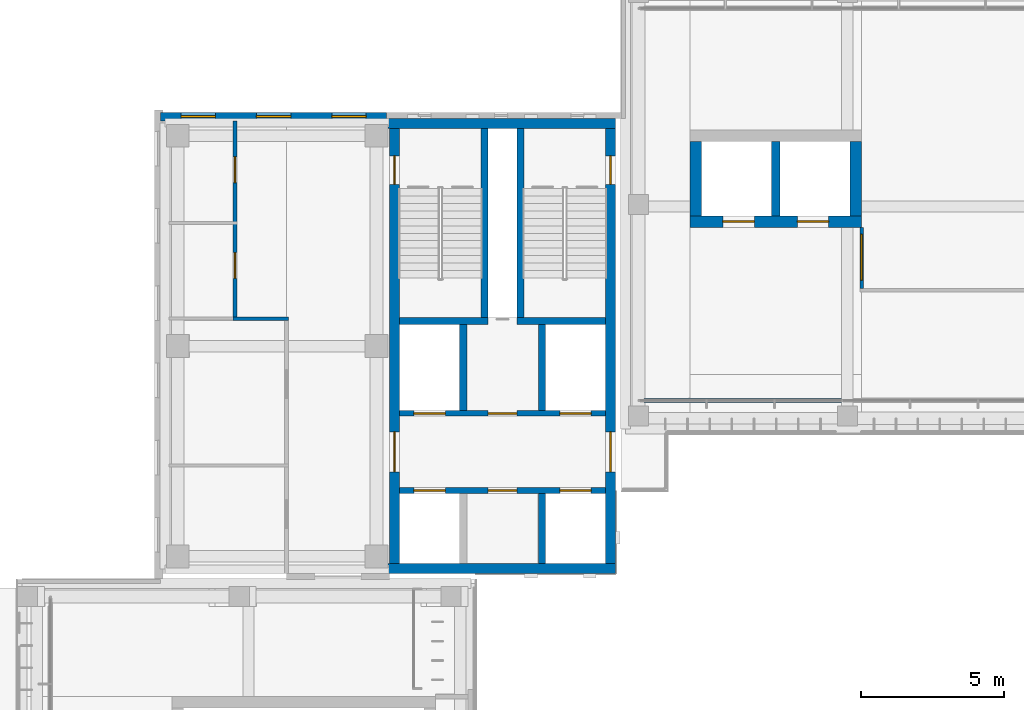
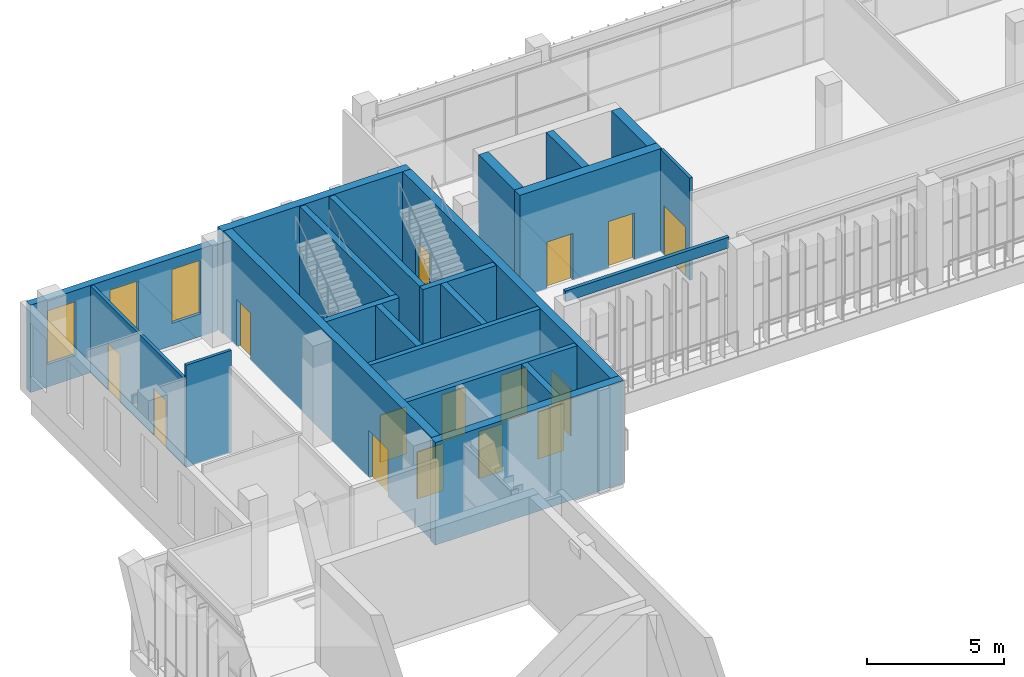
# One storey, part 47 of 73: 22 walls, 15 doors, 3 windows, 18 openings.
"""IFC4 building model written with IfcOpenShell, lengths in metres."""

from ifc_helpers import new_model, si_unit, direction, frame, frame_2d, origin, place, context, subcontext, project, spatial, rectangle, extrude, material, layer, layer_set, type_object, element, fill, save


model = new_model("IFC4")

# Units and contexts
model_context = context("Model", 3, precision=1e-05, world=origin(), true_north=direction((0.0, 1.0)))
body_context = subcontext(model_context, "Body", "Model", "MODEL_VIEW")
ifc_project = project(units=[si_unit("LENGTHUNIT", "METRE"), si_unit("AREAUNIT", "SQUARE_METRE"), si_unit("VOLUMEUNIT", "CUBIC_METRE"), si_unit("PLANEANGLEUNIT", "RADIAN"), si_unit("MASSUNIT", "GRAM", prefix="KILO")], contexts=[model_context])

# Site, building, storey
site_placement = place(None, origin())
site = spatial("IfcSite", under=ifc_project, at=site_placement, CompositionType="ELEMENT")
building_placement = place(site_placement, origin())
building = spatial("IfcBuilding", under=site, at=building_placement, Name="Lantern Court Media Centre", CompositionType="ELEMENT")
storey_placement = place(building_placement, frame((0.0, 0.0, 24.0)))
storey = spatial("IfcBuildingStorey", under=building, at=storey_placement, Name="L05", CompositionType="ELEMENT", Elevation=24.0)

# Wall, opening, door
ifc_material_1 = material(Name="Gypsum board partition")
ifc_layer_1 = layer(ifc_material_1, 0.125)
ifc_layer_set_1 = layer_set([ifc_layer_1], Name="Gypsum board partition")
wall_type_1 = type_object("IfcWallType", Name="Corridor partition 125", PredefinedType="PARTITIONING", material=ifc_layer_set_1)
wall_1_placement = place(storey_placement, frame((32.5, 106.0625, 0.0), z_axis=(0.0, 0.0, 1.0), x_axis=(0.0, 1.0, 0.0)))
wall_1 = element("IfcWall", 1, at=wall_1_placement, inside=storey, type_object=wall_type_1, Name="L05 partition 001", PredefinedType="PARTITIONING", context=body_context, shape_type="SweptSolid", body=[
    extrude(rectangle(XDim=2.132568359375, YDim=0.125, at=frame_2d((1.06640625, 0.0))), origin(), (0.0, 0.0, 1.0), 4.56005859375),
])
opening_1_placement = place(wall_1_placement, frame((0.291259765625, 0.0, 0.0)))
opening_1 = element("IfcOpeningElement", 2, at=opening_1_placement, cuts=wall_1, Name="Opening L05-004", PredefinedType="OPENING", context=body_context, shape_type="SweptSolid", body=[
    extrude(rectangle(XDim=1.60009765625, YDim=2.199951171875, at=frame_2d((0.800048828125, 1.10009765625))), frame((0.0, 0.072509765625, 0.0), z_axis=(0.0, -1.0, 0.0), x_axis=(1.0, 0.0, 0.0)), (0.0, 0.0, 1.0), 0.14501953125),
])
ifc_material_2 = material(Name="Solid-core timber door leaf", Category="wood")
door_type_1 = type_object("IfcDoorType", Name="Double door 1600x2200", OperationType="NOTDEFINED", PredefinedType="DOOR", material=ifc_material_2)
door_1_placement = place(opening_1_placement, origin())
door_1 = element("IfcDoor", 3, at=door_1_placement, inside=storey, type_object=door_type_1, Name="L05 Newsroom door", OperationType="DOUBLE_DOOR_SINGLE_SWING", OverallHeight=2.199951171875, OverallWidth=1.60009765625, PredefinedType="DOOR", context=body_context, shape_type="SweptSolid", body=[
    extrude(rectangle(XDim=1.60009765625, YDim=2.199951171875, at=frame_2d((0.800048828125, 1.10009765625))), frame((0.0, 0.02490234375, 0.0), z_axis=(0.0, -1.0, 0.0), x_axis=(1.0, 0.0, 0.0)), (0.0, 0.0, 1.0), 0.050048828125),
])
fill(opening_1, door_1)

# Wall, openings, doors
wall_2_placement = place(storey_placement, frame((10.60009765625, 105.069091796875, 0.0), z_axis=(0.0, 0.0, 1.0), x_axis=(0.0, 1.0, 0.0)))
wall_2 = element("IfcWall", 4, at=wall_2_placement, inside=storey, type_object=wall_type_1, Name="L05 partition 031", PredefinedType="PARTITIONING", context=body_context, shape_type="SweptSolid", body=[
    extrude(rectangle(XDim=6.850830078125, YDim=0.125, at=frame_2d((3.42529296875, 0.0))), origin(), (0.0, 0.0, 1.0), 3.8798828125),
])
opening_2_placement = place(wall_2_placement, frame((4.692626953125, 0.0, 0.0)))
opening_2 = element("IfcOpeningElement", 5, at=opening_2_placement, cuts=wall_2, Name="Opening L05-025", PredefinedType="OPENING", context=body_context, shape_type="SweptSolid", body=[
    extrude(rectangle(XDim=0.89990234375, YDim=2.10009765625, at=frame_2d((0.449951171875, 1.050048828125))), frame((0.0, 0.072509765625, 0.0), z_axis=(0.0, -1.0, 0.0), x_axis=(1.0, 0.0, 0.0)), (0.0, 0.0, 1.0), 0.14501953125),
])
opening_3_placement = place(wall_2_placement, frame((1.345947265625, 0.0, 0.0)))
opening_3 = element("IfcOpeningElement", 6, at=opening_3_placement, cuts=wall_2, Name="Opening L05-026", PredefinedType="OPENING", context=body_context, shape_type="SweptSolid", body=[
    extrude(rectangle(XDim=0.89990234375, YDim=2.10009765625, at=frame_2d((0.449951171875, 1.050048828125))), frame((0.0, 0.072509765625, 0.0), z_axis=(0.0, -1.0, 0.0), x_axis=(1.0, 0.0, 0.0)), (0.0, 0.0, 1.0), 0.14501953125),
])
door_type_2 = type_object("IfcDoorType", Name="Single door 900x2100", OperationType="NOTDEFINED", PredefinedType="DOOR", material=ifc_material_2)
door_2_placement = place(opening_2_placement, origin())
door_2 = element("IfcDoor", 7, at=door_2_placement, inside=storey, type_object=door_type_2, Name="L05 WC Male door", OperationType="SINGLE_SWING_RIGHT", OverallHeight=2.10009765625, OverallWidth=0.89990234375, PredefinedType="DOOR", context=body_context, shape_type="SweptSolid", body=[
    extrude(rectangle(XDim=0.89990234375, YDim=2.10009765625, at=frame_2d((0.449951171875, 1.050048828125))), frame((0.0, 0.02490234375, 0.0), z_axis=(0.0, -1.0, 0.0), x_axis=(1.0, 0.0, 0.0)), (0.0, 0.0, 1.0), 0.050048828125),
])
fill(opening_2, door_2)
door_3_placement = place(opening_3_placement, origin())
door_3 = element("IfcDoor", 8, at=door_3_placement, inside=storey, type_object=door_type_2, Name="L05 WC Female door", OperationType="SINGLE_SWING_LEFT", OverallHeight=2.10009765625, OverallWidth=0.89990234375, PredefinedType="DOOR", context=body_context, shape_type="SweptSolid", body=[
    extrude(rectangle(XDim=0.89990234375, YDim=2.10009765625, at=frame_2d((0.449951171875, 1.050048828125))), frame((0.0, 0.02490234375, 0.0), z_axis=(0.0, -1.0, 0.0), x_axis=(1.0, 0.0, 0.0)), (0.0, 0.0, 1.0), 0.050048828125),
])
fill(opening_3, door_3)

# Wall
wall_3_placement = place(storey_placement, frame((10.53759765625, 105.007080078125, 0.0), z_axis=(0.0, 0.0, 1.0), x_axis=(1.0, 0.0, 0.0)))
element("IfcWall", 9, at=wall_3_placement, inside=storey, type_object=wall_type_1, Name="L05 partition 043", PredefinedType="PARTITIONING", context=body_context, shape_type="SweptSolid", body=[
    extrude(rectangle(XDim=1.9248046875, YDim=0.125, at=frame_2d((0.96240234375, 0.0))), origin(), (0.0, 0.0, 1.0), 4.56005859375),
])

# Wall, openings, doors
ifc_material_3 = material(Name="Concrete C40", Category="concrete")
ifc_layer_2 = layer(ifc_material_3, 0.199951171875)
ifc_layer_set_2 = layer_set([ifc_layer_2], Name="Concrete C40")
wall_type_2 = type_object("IfcWallType", Name="Fire lobby wall 200", PredefinedType="SOLIDWALL", material=ifc_layer_set_2)
wall_4_placement = place(storey_placement, frame((16.35009765625, 101.699951171875, 0.0), z_axis=(0.0, 0.0, 1.0), x_axis=(1.0, 0.0, 0.0)))
wall_4 = element("IfcWall", 10, at=wall_4_placement, inside=storey, type_object=wall_type_2, Name="L05 NW FW1", PredefinedType="SOLIDWALL", context=body_context, shape_type="SweptSolid", body=[
    extrude(rectangle(XDim=7.199951171875, YDim=0.199951171875, at=frame_2d((3.60009765625, 0.0))), origin(), (0.0, 0.0, 1.0), 4.550048828125),
])
opening_4_placement = place(wall_4_placement, frame((0.5, 0.0, 0.0)))
opening_4 = element("IfcOpeningElement", 11, at=opening_4_placement, cuts=wall_4, Name="Opening LD-NWFF-L05", PredefinedType="OPENING", context=body_context, shape_type="SweptSolid", body=[
    extrude(rectangle(XDim=1.10009765625, YDim=2.10009765625, at=frame_2d((0.550048828125, 1.050048828125))), frame((0.0, 0.10986328125, 0.0), z_axis=(0.0, -1.0, 0.0), x_axis=(1.0, 0.0, 0.0)), (0.0, 0.0, 1.0), 0.219970703125),
])
opening_5_placement = place(wall_4_placement, frame((5.60009765625, 0.0, 0.0)))
opening_5 = element("IfcOpeningElement", 12, at=opening_5_placement, cuts=wall_4, Name="Opening LD-NWP1-L05", PredefinedType="OPENING", context=body_context, shape_type="SweptSolid", body=[
    extrude(rectangle(XDim=1.10009765625, YDim=2.10009765625, at=frame_2d((0.550048828125, 1.050048828125))), frame((0.0, 0.10986328125, 0.0), z_axis=(0.0, -1.0, 0.0), x_axis=(1.0, 0.0, 0.0)), (0.0, 0.0, 1.0), 0.219970703125),
])
opening_6_placement = place(wall_4_placement, frame((3.10009765625, 0.0, 0.0)))
opening_6 = element("IfcOpeningElement", 13, at=opening_6_placement, cuts=wall_4, Name="Opening NW-L05-03", PredefinedType="OPENING", context=body_context, shape_type="SweptSolid", body=[
    extrude(rectangle(XDim=1.0, YDim=2.10009765625, at=frame_2d((0.5, 1.050048828125))), frame((0.0, 0.10986328125, 0.0), z_axis=(0.0, -1.0, 0.0), x_axis=(1.0, 0.0, 0.0)), (0.0, 0.0, 1.0), 0.219970703125),
])
ifc_material_4 = material(Name="Steel door leaf", Category="steel")
door_type_3 = type_object("IfcDoorType", Name="Lift landing door 1100x2100", OperationType="DOUBLE_DOOR_SLIDING", PredefinedType="DOOR", material=ifc_material_4)
door_4_placement = place(opening_4_placement, frame((1.10009765625, 0.0, 0.0), z_axis=(0.0, 0.0, 1.0), x_axis=(-1.0, 0.0, 0.0)))
door_4 = element("IfcDoor", 14, at=door_4_placement, inside=storey, type_object=door_type_3, Name="L05 NW lift FF landing door", OperationType="DOUBLE_DOOR_SLIDING", OverallHeight=2.10009765625, OverallWidth=1.10009765625, PredefinedType="DOOR", context=body_context, shape_type="SweptSolid", body=[
    extrude(rectangle(XDim=1.10009765625, YDim=2.10009765625, at=frame_2d((0.550048828125, 1.050048828125))), frame((0.0, 0.02490234375, 0.0), z_axis=(0.0, -1.0, 0.0), x_axis=(1.0, 0.0, 0.0)), (0.0, 0.0, 1.0), 0.050048828125),
])
fill(opening_4, door_4)
door_5_placement = place(opening_5_placement, frame((1.10009765625, 0.0, 0.0), z_axis=(0.0, 0.0, 1.0), x_axis=(-1.0, 0.0, 0.0)))
door_5 = element("IfcDoor", 15, at=door_5_placement, inside=storey, type_object=door_type_3, Name="L05 NW lift P1 landing door", OperationType="DOUBLE_DOOR_SLIDING", OverallHeight=2.10009765625, OverallWidth=1.10009765625, PredefinedType="DOOR", context=body_context, shape_type="SweptSolid", body=[
    extrude(rectangle(XDim=1.10009765625, YDim=2.10009765625, at=frame_2d((0.550048828125, 1.050048828125))), frame((0.0, 0.02490234375, 0.0), z_axis=(0.0, -1.0, 0.0), x_axis=(1.0, 0.0, 0.0)), (0.0, 0.0, 1.0), 0.050048828125),
])
fill(opening_5, door_5)
door_type_4 = type_object("IfcDoorType", Name="Service door 1000x2100", OperationType="NOTDEFINED", PredefinedType="DOOR", material=ifc_material_4)
door_6_placement = place(opening_6_placement, frame((1.0, 0.0, 0.0), z_axis=(0.0, 0.0, 1.0), x_axis=(-1.0, 0.0, 0.0)))
door_6 = element("IfcDoor", 16, at=door_6_placement, inside=storey, type_object=door_type_4, Name="L05 NW services riser door", OperationType="SINGLE_SWING_LEFT", OverallHeight=2.10009765625, OverallWidth=1.0, PredefinedType="DOOR", context=body_context, shape_type="SweptSolid", body=[
    extrude(rectangle(XDim=1.0, YDim=2.10009765625, at=frame_2d((0.5, 1.050048828125))), frame((0.0, 0.02490234375, 0.0), z_axis=(0.0, -1.0, 0.0), x_axis=(1.0, 0.0, 0.0)), (0.0, 0.0, 1.0), 0.050048828125),
])
fill(opening_6, door_6)

wall_5_placement = place(storey_placement, frame((16.35009765625, 99.0, 0.0), z_axis=(0.0, 0.0, 1.0), x_axis=(1.0, 0.0, 0.0)))
wall_5 = element("IfcWall", 17, at=wall_5_placement, inside=storey, type_object=wall_type_2, Name="L05 NW FW2", PredefinedType="SOLIDWALL", context=body_context, shape_type="SweptSolid", body=[
    extrude(rectangle(XDim=7.199951171875, YDim=0.199951171875, at=frame_2d((3.60009765625, 0.0))), origin(), (0.0, 0.0, 1.0), 4.550048828125),
])
opening_7_placement = place(wall_5_placement, frame((0.5, 0.0, 0.0)))
opening_7 = element("IfcOpeningElement", 18, at=opening_7_placement, cuts=wall_5, Name="Opening LD-NWP2-L05", PredefinedType="OPENING", context=body_context, shape_type="SweptSolid", body=[
    extrude(rectangle(XDim=1.10009765625, YDim=2.10009765625, at=frame_2d((0.550048828125, 1.050048828125))), frame((0.0, 0.10986328125, 0.0), z_axis=(0.0, -1.0, 0.0), x_axis=(1.0, 0.0, 0.0)), (0.0, 0.0, 1.0), 0.219970703125),
])
opening_8_placement = place(wall_5_placement, frame((5.60009765625, 0.0, 0.0)))
opening_8 = element("IfcOpeningElement", 19, at=opening_8_placement, cuts=wall_5, Name="Opening LD-NWP3-L05", PredefinedType="OPENING", context=body_context, shape_type="SweptSolid", body=[
    extrude(rectangle(XDim=1.10009765625, YDim=2.10009765625, at=frame_2d((0.550048828125, 1.050048828125))), frame((0.0, 0.10986328125, 0.0), z_axis=(0.0, -1.0, 0.0), x_axis=(1.0, 0.0, 0.0)), (0.0, 0.0, 1.0), 0.219970703125),
])
opening_9_placement = place(wall_5_placement, frame((3.10009765625, 0.0, 0.0)))
opening_9 = element("IfcOpeningElement", 20, at=opening_9_placement, cuts=wall_5, Name="Opening NW-L05-04", PredefinedType="OPENING", context=body_context, shape_type="SweptSolid", body=[
    extrude(rectangle(XDim=1.0, YDim=2.10009765625, at=frame_2d((0.5, 1.050048828125))), frame((0.0, 0.10986328125, 0.0), z_axis=(0.0, -1.0, 0.0), x_axis=(1.0, 0.0, 0.0)), (0.0, 0.0, 1.0), 0.219970703125),
])
door_7_placement = place(opening_7_placement, origin())
door_7 = element("IfcDoor", 21, at=door_7_placement, inside=storey, type_object=door_type_3, Name="L05 NW lift P2 landing door", OperationType="DOUBLE_DOOR_SLIDING", OverallHeight=2.10009765625, OverallWidth=1.10009765625, PredefinedType="DOOR", context=body_context, shape_type="SweptSolid", body=[
    extrude(rectangle(XDim=1.10009765625, YDim=2.10009765625, at=frame_2d((0.550048828125, 1.050048828125))), frame((0.0, 0.02490234375, 0.0), z_axis=(0.0, -1.0, 0.0), x_axis=(1.0, 0.0, 0.0)), (0.0, 0.0, 1.0), 0.050048828125),
])
fill(opening_7, door_7)
door_8_placement = place(opening_8_placement, origin())
door_8 = element("IfcDoor", 22, at=door_8_placement, inside=storey, type_object=door_type_3, Name="L05 NW lift P3 landing door", OperationType="DOUBLE_DOOR_SLIDING", OverallHeight=2.10009765625, OverallWidth=1.10009765625, PredefinedType="DOOR", context=body_context, shape_type="SweptSolid", body=[
    extrude(rectangle(XDim=1.10009765625, YDim=2.10009765625, at=frame_2d((0.550048828125, 1.050048828125))), frame((0.0, 0.02490234375, 0.0), z_axis=(0.0, -1.0, 0.0), x_axis=(1.0, 0.0, 0.0)), (0.0, 0.0, 1.0), 0.050048828125),
])
fill(opening_8, door_8)
door_9_placement = place(opening_9_placement, origin())
door_9 = element("IfcDoor", 23, at=door_9_placement, inside=storey, type_object=door_type_4, Name="L05 NW accessible WC door", OperationType="SINGLE_SWING_RIGHT", OverallHeight=2.10009765625, OverallWidth=1.0, PredefinedType="DOOR", context=body_context, shape_type="SweptSolid", body=[
    extrude(rectangle(XDim=1.0, YDim=2.10009765625, at=frame_2d((0.5, 1.050048828125))), frame((0.0, 0.02490234375, 0.0), z_axis=(0.0, -1.0, 0.0), x_axis=(1.0, 0.0, 0.0)), (0.0, 0.0, 1.0), 0.050048828125),
])
fill(opening_9, door_9)

# Wall
ifc_material_5 = material(Name="Insulated rendered blockwork", Category="masonry")
ifc_layer_3 = layer(ifc_material_5, 0.14990234375)
ifc_layer_set_3 = layer_set([ifc_layer_3], Name="Insulated rendered blockwork")
wall_type_3 = type_object("IfcWallType", Name="Head infill wall 150", PredefinedType="SOLIDWALL", material=ifc_layer_set_3)
wall_6_placement = place(storey_placement, frame((24.89990234375, 102.14990234375, 4.10009765625), z_axis=(0.0, 0.0, 1.0), x_axis=(1.0, 0.0, 0.0)))
element("IfcWall", 24, at=wall_6_placement, inside=storey, type_object=wall_type_3, Name="Head infill wall N inner L05", PredefinedType="SOLIDWALL", context=body_context, shape_type="SweptSolid", body=[
    extrude(rectangle(XDim=6.900146484375, YDim=0.14990234375, at=frame_2d((3.4501953125, 0.0))), origin(), (0.0, 0.0, 1.0), 0.47998046875),
])

# Wall, openings, windows
ifc_material_6 = material(Name="Honed limestone cladding on blockwork", Category="masonry")
ifc_layer_4 = layer(ifc_material_6, 0.300048828125)
ifc_layer_set_4 = layer_set([ifc_layer_4], Name="Honed limestone cladding on blockwork")
wall_type_4 = type_object("IfcWallType", Name="Limestone block wall 300", PredefinedType="SOLIDWALL", material=ifc_layer_set_4)
wall_7_placement = place(storey_placement, frame((8.0, 112.070068359375, 0.0), z_axis=(0.0, 0.0, 1.0), x_axis=(1.0, 0.0, 0.0)))
wall_7 = element("IfcWall", 25, at=wall_7_placement, inside=storey, type_object=wall_type_4, Name="Limestone wall NW N L05", PredefinedType="SOLIDWALL", context=body_context, shape_type="SweptSolid", body=[
    extrude(rectangle(XDim=7.89990234375, YDim=0.300048828125, at=frame_2d((3.949951171875, 0.0))), origin(), (0.0, 0.0, 1.0), 3.89990234375),
])
opening_10_placement = place(wall_7_placement, frame((0.716552734375, 0.0, 1.0)))
opening_10 = element("IfcOpeningElement", 26, at=opening_10_placement, cuts=wall_7, Name="Opening WN-A", PredefinedType="OPENING", context=body_context, shape_type="SweptSolid", body=[
    extrude(rectangle(XDim=1.199951171875, YDim=2.39990234375, at=frame_2d((0.60009765625, 1.199951171875))), frame((0.0, 0.159912109375, 0.0), z_axis=(0.0, -1.0, 0.0), x_axis=(1.0, 0.0, 0.0)), (0.0, 0.0, 1.0), 0.320068359375),
])
opening_11_placement = place(wall_7_placement, frame((3.35009765625, 0.0, 1.0)))
opening_11 = element("IfcOpeningElement", 27, at=opening_11_placement, cuts=wall_7, Name="Opening WN-A", PredefinedType="OPENING", context=body_context, shape_type="SweptSolid", body=[
    extrude(rectangle(XDim=1.199951171875, YDim=2.39990234375, at=frame_2d((0.60009765625, 1.199951171875))), frame((0.0, 0.159912109375, 0.0), z_axis=(0.0, -1.0, 0.0), x_axis=(1.0, 0.0, 0.0)), (0.0, 0.0, 1.0), 0.320068359375),
])
opening_12_placement = place(wall_7_placement, frame((5.9833984375, 0.0, 1.0)))
opening_12 = element("IfcOpeningElement", 28, at=opening_12_placement, cuts=wall_7, Name="Opening WN-A", PredefinedType="OPENING", context=body_context, shape_type="SweptSolid", body=[
    extrude(rectangle(XDim=1.199951171875, YDim=2.39990234375, at=frame_2d((0.60009765625, 1.199951171875))), frame((0.0, 0.159912109375, 0.0), z_axis=(0.0, -1.0, 0.0), x_axis=(1.0, 0.0, 0.0)), (0.0, 0.0, 1.0), 0.320068359375),
])
ifc_material_7 = material(Name="Anodised aluminium and glass", Category="aluminium")
window_type = type_object("IfcWindowType", Name="Attic window 1200x2400", PartitioningType="SINGLE_PANEL", PredefinedType="WINDOW", material=ifc_material_7)
window_1_placement = place(opening_10_placement, origin())
window_1 = element("IfcWindow", 29, at=window_1_placement, inside=storey, type_object=window_type, Name="Window NW N L05", OverallHeight=2.39990234375, OverallWidth=1.199951171875, PartitioningType="SINGLE_PANEL", PredefinedType="WINDOW", context=body_context, shape_type="SweptSolid", body=[
    extrude(rectangle(XDim=1.199951171875, YDim=2.39990234375, at=frame_2d((0.60009765625, 1.199951171875))), frame((0.0, 0.030029296875, 0.0), z_axis=(0.0, -1.0, 0.0), x_axis=(1.0, 0.0, 0.0)), (0.0, 0.0, 1.0), 0.06005859375),
])
fill(opening_10, window_1)
window_2_placement = place(opening_11_placement, origin())
window_2 = element("IfcWindow", 30, at=window_2_placement, inside=storey, type_object=window_type, Name="Window NW N L05", OverallHeight=2.39990234375, OverallWidth=1.199951171875, PartitioningType="SINGLE_PANEL", PredefinedType="WINDOW", context=body_context, shape_type="SweptSolid", body=[
    extrude(rectangle(XDim=1.199951171875, YDim=2.39990234375, at=frame_2d((0.60009765625, 1.199951171875))), frame((0.0, 0.030029296875, 0.0), z_axis=(0.0, -1.0, 0.0), x_axis=(1.0, 0.0, 0.0)), (0.0, 0.0, 1.0), 0.06005859375),
])
fill(opening_11, window_2)
window_3_placement = place(opening_12_placement, origin())
window_3 = element("IfcWindow", 31, at=window_3_placement, inside=storey, type_object=window_type, Name="Window NW N L05", OverallHeight=2.39990234375, OverallWidth=1.199951171875, PartitioningType="SINGLE_PANEL", PredefinedType="WINDOW", context=body_context, shape_type="SweptSolid", body=[
    extrude(rectangle(XDim=1.199951171875, YDim=2.39990234375, at=frame_2d((0.60009765625, 1.199951171875))), frame((0.0, 0.030029296875, 0.0), z_axis=(0.0, -1.0, 0.0), x_axis=(1.0, 0.0, 0.0)), (0.0, 0.0, 1.0), 0.06005859375),
])
fill(opening_12, window_3)

# Walls
ifc_layer_5 = layer(ifc_material_3, 0.35009765625)
ifc_layer_set_5 = layer_set([ifc_layer_5], Name="Concrete C40")
wall_type_5 = type_object("IfcWallType", Name="RC CORE WALL 350", PredefinedType="SHEAR", material=ifc_layer_set_5)
for number, where, z_axis, x_axis, name in (
    (32, (15.949951171875, 96.27490234375, 0.0), (0.0, 0.0, 1.0), (1.0, 0.0, 0.0), "WC-NW-L05-S"),
    (33, (15.949951171875, 111.824951171875, 0.0), (0.0, 0.0, 1.0), (1.0, 0.0, 0.0), "WC-NW-L05-N"),
):
    element("IfcWall", number, at=place(storey_placement, frame(where, z_axis=z_axis, x_axis=x_axis)), inside=storey, type_object=wall_type_5, Name=name, PredefinedType="SHEAR", context=body_context, shape_type="SweptSolid", body=[
        extrude(rectangle(XDim=7.949951171875, YDim=0.35009765625, at=frame_2d((3.97509765625, 0.0))), origin(), (0.0, 0.0, 1.0), 4.580078125),
    ])

# Wall, openings, doors
wall_8_placement = place(storey_placement, frame((16.175048828125, 96.449951171875, 0.0), z_axis=(0.0, 0.0, 1.0), x_axis=(0.0, 1.0, 0.0)))
wall_8 = element("IfcWall", 34, at=wall_8_placement, inside=storey, type_object=wall_type_5, Name="WC-NW-L05-W", PredefinedType="SHEAR", context=body_context, shape_type="SweptSolid", body=[
    extrude(rectangle(XDim=15.199951171875, YDim=0.35009765625, at=frame_2d((7.60009765625, 0.0))), origin(), (0.0, 0.0, 1.0), 4.580078125),
])
opening_13_placement = place(wall_8_placement, frame((13.25, 0.0, 0.0)))
opening_13 = element("IfcOpeningElement", 35, at=opening_13_placement, cuts=wall_8, Name="Opening NW-L05-01", PredefinedType="OPENING", context=body_context, shape_type="SweptSolid", body=[
    extrude(rectangle(XDim=1.0, YDim=2.10009765625, at=frame_2d((0.5, 1.050048828125))), frame((0.0, 0.18505859375, 0.0), z_axis=(0.0, -1.0, 0.0), x_axis=(1.0, 0.0, 0.0)), (0.0, 0.0, 1.0), 0.3701171875),
])
opening_14_placement = place(wall_8_placement, frame((3.199951171875, 0.0, 0.0)))
opening_14 = element("IfcOpeningElement", 36, at=opening_14_placement, cuts=wall_8, Name="Opening NW-L05-05", PredefinedType="OPENING", context=body_context, shape_type="SweptSolid", body=[
    extrude(rectangle(XDim=1.39990234375, YDim=2.10009765625, at=frame_2d((0.699951171875, 1.050048828125))), frame((0.0, 0.18505859375, 0.0), z_axis=(0.0, -1.0, 0.0), x_axis=(1.0, 0.0, 0.0)), (0.0, 0.0, 1.0), 0.3701171875),
])
door_type_5 = type_object("IfcDoorType", Name="Lift lobby double door 1400x2100", OperationType="NOTDEFINED", PredefinedType="DOOR", material=ifc_material_4)
door_10_placement = place(opening_14_placement, origin())
door_10 = element("IfcDoor", 37, at=door_10_placement, inside=storey, type_object=door_type_5, Name="L05 NW lift lobby west door", OperationType="SINGLE_SWING_LEFT", OverallHeight=2.10009765625, OverallWidth=1.39990234375, PredefinedType="DOOR", context=body_context, shape_type="SweptSolid", body=[
    extrude(rectangle(XDim=1.39990234375, YDim=2.10009765625, at=frame_2d((0.699951171875, 1.050048828125))), frame((0.0, 0.02490234375, 0.0), z_axis=(0.0, -1.0, 0.0), x_axis=(1.0, 0.0, 0.0)), (0.0, 0.0, 1.0), 0.050048828125),
])
fill(opening_14, door_10)
door_type_6 = type_object("IfcDoorType", Name="Stair door 1000x2100", OperationType="NOTDEFINED", PredefinedType="DOOR", material=ifc_material_4)
door_11_placement = place(opening_13_placement, origin())
door_11 = element("IfcDoor", 38, at=door_11_placement, inside=storey, type_object=door_type_6, Name="L05 NW stair A door", OperationType="SINGLE_SWING_LEFT", OverallHeight=2.10009765625, OverallWidth=1.0, PredefinedType="DOOR", context=body_context, shape_type="SweptSolid", body=[
    extrude(rectangle(XDim=1.0, YDim=2.10009765625, at=frame_2d((0.5, 1.050048828125))), frame((0.0, 0.02490234375, 0.0), z_axis=(0.0, -1.0, 0.0), x_axis=(1.0, 0.0, 0.0)), (0.0, 0.0, 1.0), 0.050048828125),
])
fill(opening_13, door_11)

wall_9_placement = place(storey_placement, frame((23.72509765625, 96.449951171875, 0.0), z_axis=(0.0, 0.0, 1.0), x_axis=(0.0, 1.0, 0.0)))
wall_9 = element("IfcWall", 39, at=wall_9_placement, inside=storey, type_object=wall_type_5, Name="WC-NW-L05-E", PredefinedType="SHEAR", context=body_context, shape_type="SweptSolid", body=[
    extrude(rectangle(XDim=15.199951171875, YDim=0.35009765625, at=frame_2d((7.60009765625, 0.0))), origin(), (0.0, 0.0, 1.0), 4.580078125),
])
opening_15_placement = place(wall_9_placement, frame((13.25, 0.0, 0.0)))
opening_15 = element("IfcOpeningElement", 40, at=opening_15_placement, cuts=wall_9, Name="Opening NW-L05-02", PredefinedType="OPENING", context=body_context, shape_type="SweptSolid", body=[
    extrude(rectangle(XDim=1.0, YDim=2.10009765625, at=frame_2d((0.5, 1.050048828125))), frame((0.0, 0.18505859375, 0.0), z_axis=(0.0, -1.0, 0.0), x_axis=(1.0, 0.0, 0.0)), (0.0, 0.0, 1.0), 0.3701171875),
])
opening_16_placement = place(wall_9_placement, frame((3.199951171875, 0.0, 0.0)))
opening_16 = element("IfcOpeningElement", 41, at=opening_16_placement, cuts=wall_9, Name="Opening NW-L05-06", PredefinedType="OPENING", context=body_context, shape_type="SweptSolid", body=[
    extrude(rectangle(XDim=1.39990234375, YDim=2.10009765625, at=frame_2d((0.699951171875, 1.050048828125))), frame((0.0, 0.18505859375, 0.0), z_axis=(0.0, -1.0, 0.0), x_axis=(1.0, 0.0, 0.0)), (0.0, 0.0, 1.0), 0.3701171875),
])
door_12_placement = place(opening_16_placement, frame((1.39990234375, 0.0, 0.0), z_axis=(0.0, 0.0, 1.0), x_axis=(-1.0, 0.0, 0.0)))
door_12 = element("IfcDoor", 42, at=door_12_placement, inside=storey, type_object=door_type_5, Name="L05 NW lift lobby east door", OperationType="SINGLE_SWING_LEFT", OverallHeight=2.10009765625, OverallWidth=1.39990234375, PredefinedType="DOOR", context=body_context, shape_type="SweptSolid", body=[
    extrude(rectangle(XDim=1.39990234375, YDim=2.10009765625, at=frame_2d((0.699951171875, 1.050048828125))), frame((0.0, 0.02490234375, 0.0), z_axis=(0.0, -1.0, 0.0), x_axis=(1.0, 0.0, 0.0)), (0.0, 0.0, 1.0), 0.050048828125),
])
fill(opening_16, door_12)
door_13_placement = place(opening_15_placement, frame((1.0, 0.0, 0.0), z_axis=(0.0, 0.0, 1.0), x_axis=(-1.0, 0.0, 0.0)))
door_13 = element("IfcDoor", 43, at=door_13_placement, inside=storey, type_object=door_type_6, Name="L05 NW stair B door", OperationType="SINGLE_SWING_LEFT", OverallHeight=2.10009765625, OverallWidth=1.0, PredefinedType="DOOR", context=body_context, shape_type="SweptSolid", body=[
    extrude(rectangle(XDim=1.0, YDim=2.10009765625, at=frame_2d((0.5, 1.050048828125))), frame((0.0, 0.02490234375, 0.0), z_axis=(0.0, -1.0, 0.0), x_axis=(1.0, 0.0, 0.0)), (0.0, 0.0, 1.0), 0.050048828125),
])
fill(opening_15, door_13)

# Wall
ifc_layer_6 = layer(ifc_material_3, 0.300048828125)
ifc_layer_set_6 = layer_set([ifc_layer_6], Name="Concrete C40")
wall_type_6 = type_object("IfcWallType", Name="RC SHEAR WALL 300", PredefinedType="SHEAR", material=ifc_layer_set_6)
wall_10_placement = place(storey_placement, frame((29.5, 108.60009765625, 0.0), z_axis=(0.0, 0.0, 1.0), x_axis=(0.0, 1.0, 0.0)))
element("IfcWall", 44, at=wall_10_placement, inside=storey, type_object=wall_type_6, Name="WB-N-LC-L05-D", PredefinedType="SHEAR", context=body_context, shape_type="SweptSolid", body=[
    extrude(rectangle(XDim=2.599853515625, YDim=0.300048828125, at=frame_2d((1.2998046875, 0.0))), origin(), (0.0, 0.0, 1.0), 4.580078125),
])

# Wall, openings, doors
ifc_layer_7 = layer(ifc_material_3, 0.39990234375)
ifc_layer_set_7 = layer_set([ifc_layer_7], Name="Concrete C40")
wall_type_7 = type_object("IfcWallType", Name="RC SHEAR WALL 400", PredefinedType="SHEAR", material=ifc_layer_set_7)
wall_11_placement = place(storey_placement, frame((26.5, 108.39990234375, 0.0), z_axis=(0.0, 0.0, 1.0), x_axis=(1.0, 0.0, 0.0)))
wall_11 = element("IfcWall", 45, at=wall_11_placement, inside=storey, type_object=wall_type_7, Name="WB-N-LC-L05-S", PredefinedType="SHEAR", context=body_context, shape_type="SweptSolid", body=[
    extrude(rectangle(XDim=6.0, YDim=0.39990234375, at=frame_2d((3.0, 0.0))), origin(), (0.0, 0.0, 1.0), 4.580078125),
])
opening_17_placement = place(wall_11_placement, frame((1.14990234375, 0.0, 0.0)))
opening_17 = element("IfcOpeningElement", 46, at=opening_17_placement, cuts=wall_11, Name="Opening LD-N-LCP-L05", PredefinedType="OPENING", context=body_context, shape_type="SweptSolid", body=[
    extrude(rectangle(XDim=1.10009765625, YDim=2.10009765625, at=frame_2d((0.550048828125, 1.050048828125))), frame((0.0, 0.2099609375, 0.0), z_axis=(0.0, -1.0, 0.0), x_axis=(1.0, 0.0, 0.0)), (0.0, 0.0, 1.0), 0.419921875),
])
opening_18_placement = place(wall_11_placement, frame((3.75, 0.0, 0.0)))
opening_18 = element("IfcOpeningElement", 47, at=opening_18_placement, cuts=wall_11, Name="Opening LD-N-LCS-L05", PredefinedType="OPENING", context=body_context, shape_type="SweptSolid", body=[
    extrude(rectangle(XDim=1.10009765625, YDim=2.10009765625, at=frame_2d((0.550048828125, 1.050048828125))), frame((0.0, 0.2099609375, 0.0), z_axis=(0.0, -1.0, 0.0), x_axis=(1.0, 0.0, 0.0)), (0.0, 0.0, 1.0), 0.419921875),
])
door_14_placement = place(opening_17_placement, frame((1.10009765625, 0.0, 0.0), z_axis=(0.0, 0.0, 1.0), x_axis=(-1.0, 0.0, 0.0)))
door_14 = element("IfcDoor", 48, at=door_14_placement, inside=storey, type_object=door_type_3, Name="L05 N-LC passenger lift landing door", OperationType="DOUBLE_DOOR_SLIDING", OverallHeight=2.10009765625, OverallWidth=1.10009765625, PredefinedType="DOOR", context=body_context, shape_type="SweptSolid", body=[
    extrude(rectangle(XDim=1.10009765625, YDim=2.10009765625, at=frame_2d((0.550048828125, 1.050048828125))), frame((0.0, 0.02490234375, 0.0), z_axis=(0.0, -1.0, 0.0), x_axis=(1.0, 0.0, 0.0)), (0.0, 0.0, 1.0), 0.050048828125),
])
fill(opening_17, door_14)
door_15_placement = place(opening_18_placement, frame((1.10009765625, 0.0, 0.0), z_axis=(0.0, 0.0, 1.0), x_axis=(-1.0, 0.0, 0.0)))
door_15 = element("IfcDoor", 49, at=door_15_placement, inside=storey, type_object=door_type_3, Name="L05 N-LC service lift landing door", OperationType="DOUBLE_DOOR_SLIDING", OverallHeight=2.10009765625, OverallWidth=1.10009765625, PredefinedType="DOOR", context=body_context, shape_type="SweptSolid", body=[
    extrude(rectangle(XDim=1.10009765625, YDim=2.10009765625, at=frame_2d((0.550048828125, 1.050048828125))), frame((0.0, 0.02490234375, 0.0), z_axis=(0.0, -1.0, 0.0), x_axis=(1.0, 0.0, 0.0)), (0.0, 0.0, 1.0), 0.050048828125),
])
fill(opening_18, door_15)

# Walls
for number, where, z_axis, x_axis, name in (
    (50, (26.699951171875, 108.60009765625, 0.0), (0.0, 0.0, 1.0), (0.0, 1.0, 0.0), "WB-N-LC-L05-W"),
    (51, (32.300048828125, 108.60009765625, 0.0), (0.0, 0.0, 1.0), (0.0, 1.0, 0.0), "WB-N-LC-L05-E"),
):
    element("IfcWall", number, at=place(storey_placement, frame(where, z_axis=z_axis, x_axis=x_axis)), inside=storey, type_object=wall_type_7, Name=name, PredefinedType="SHEAR", context=body_context, shape_type="SweptSolid", body=[
        extrude(rectangle(XDim=2.599853515625, YDim=0.39990234375, at=frame_2d((1.2998046875, 0.0))), origin(), (0.0, 0.0, 1.0), 4.580078125),
    ])
ifc_layer_8 = layer(ifc_material_3, 0.25)
ifc_layer_set_8 = layer_set([ifc_layer_8], Name="Concrete C40")
wall_type_8 = type_object("IfcWallType", Name="RC lift shaft wall 250", PredefinedType="SOLIDWALL", material=ifc_layer_set_8)
for number, where, z_axis, x_axis, name in (
    (52, (18.574951171875, 104.800048828125, 0.0), (0.0, 0.0, 1.0), (0.0, -1.0, 0.0), "L05 NW L1a"),
    (53, (21.324951171875, 104.800048828125, 0.0), (0.0, 0.0, 1.0), (0.0, -1.0, 0.0), "L05 NW L2a"),
):
    element("IfcWall", number, at=place(storey_placement, frame(where, z_axis=z_axis, x_axis=x_axis)), inside=storey, type_object=wall_type_8, Name=name, PredefinedType="SOLIDWALL", context=body_context, shape_type="SweptSolid", body=[
        extrude(rectangle(XDim=3.0, YDim=0.25, at=frame_2d((1.5, 0.0))), origin(), (0.0, 0.0, 1.0), 4.550048828125),
    ])
wall_12_placement = place(storey_placement, frame((21.324951171875, 98.89990234375, 0.0), z_axis=(0.0, 0.0, 1.0), x_axis=(0.0, -1.0, 0.0)))
element("IfcWall", 54, at=wall_12_placement, inside=storey, type_object=wall_type_8, Name="L05 NW L2b", PredefinedType="SOLIDWALL", context=body_context, shape_type="SweptSolid", body=[
    extrude(rectangle(XDim=2.449951171875, YDim=0.25, at=frame_2d((1.22509765625, 0.0))), origin(), (0.0, 0.0, 1.0), 4.550048828125),
])
ifc_layer_9 = layer(ifc_material_3, 0.25)
ifc_layer_set_9 = layer_set([ifc_layer_9], Name="Concrete C40")
wall_type_9 = type_object("IfcWallType", Name="RC stair shaft wall 250", PredefinedType="SOLIDWALL", material=ifc_layer_set_9)
for number, where, z_axis, x_axis, name in (
    (55, (19.324951171875, 111.64990234375, 0.0), (0.0, 0.0, 1.0), (0.0, -1.0, 0.0), "L05 NW SA"),
    (56, (20.574951171875, 111.64990234375, 0.0), (0.0, 0.0, 1.0), (0.0, -1.0, 0.0), "L05 NW SB"),
):
    element("IfcWall", number, at=place(storey_placement, frame(where, z_axis=z_axis, x_axis=x_axis)), inside=storey, type_object=wall_type_9, Name=name, PredefinedType="SOLIDWALL", context=body_context, shape_type="SweptSolid", body=[
        extrude(rectangle(XDim=6.599853515625, YDim=0.25, at=frame_2d((3.2998046875, 0.0))), origin(), (0.0, 0.0, 1.0), 4.550048828125),
    ])
wall_13_placement = place(storey_placement, frame((16.35009765625, 104.925048828125, 0.0), z_axis=(0.0, 0.0, 1.0), x_axis=(1.0, 0.0, 0.0)))
element("IfcWall", 57, at=wall_13_placement, inside=storey, type_object=wall_type_9, Name="L05 NW SN1", PredefinedType="SOLIDWALL", context=body_context, shape_type="SweptSolid", body=[
    extrude(rectangle(XDim=3.099853515625, YDim=0.25, at=frame_2d((1.5498046875, 0.0))), origin(), (0.0, 0.0, 1.0), 4.550048828125),
])
wall_14_placement = place(storey_placement, frame((20.449951171875, 104.925048828125, 0.0), z_axis=(0.0, 0.0, 1.0), x_axis=(1.0, 0.0, 0.0)))
element("IfcWall", 58, at=wall_14_placement, inside=storey, type_object=wall_type_9, Name="L05 NW SN2", PredefinedType="SOLIDWALL", context=body_context, shape_type="SweptSolid", body=[
    extrude(rectangle(XDim=3.10009765625, YDim=0.25, at=frame_2d((1.550048828125, 0.0))), origin(), (0.0, 0.0, 1.0), 4.550048828125),
])

save(model, "model.ifc")
